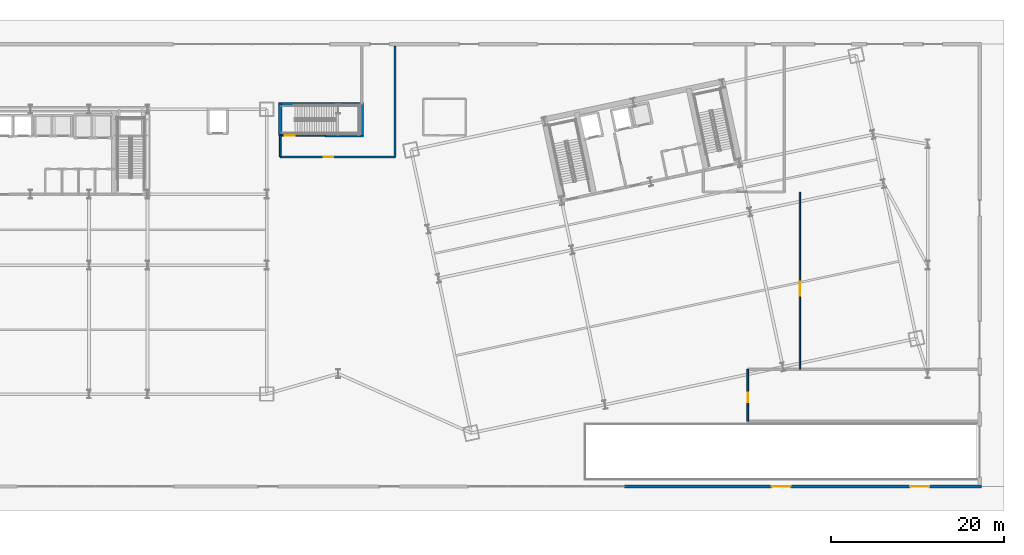
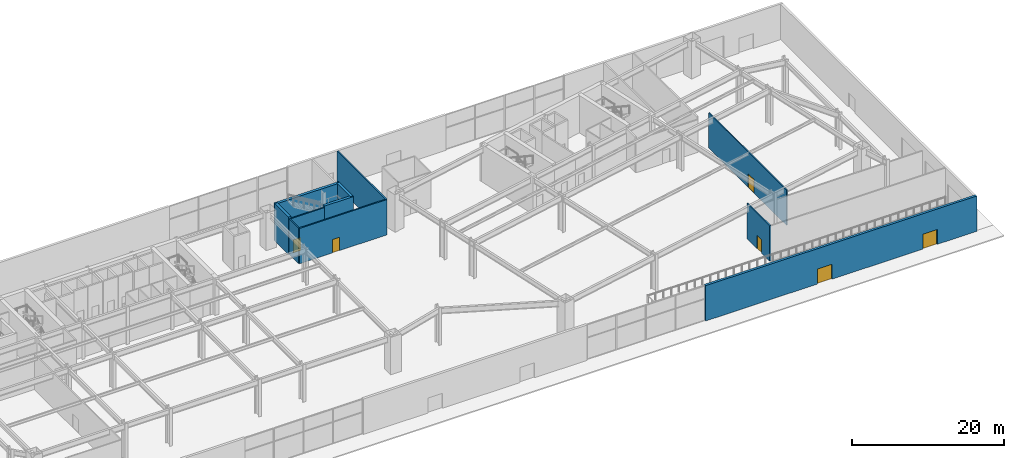
# One storey, part 22 of 30: 11 walls, 6 doors, 6 openings.
"""IFC4 building model written with IfcOpenShell, lengths in metres."""

from ifc_helpers import new_model, si_unit, direction, frame, frame_2d, origin, place, context, subcontext, project, spatial, rectangle, extrude, material, layer, layer_set, type_object, element, fill, save


model = new_model("IFC4")

# Units and contexts
model_context = context("Model", 3, precision=1e-05, world=origin(), true_north=direction((0.0, 1.0)))
body_context = subcontext(model_context, "Body", "Model", "MODEL_VIEW")
ifc_project = project(units=[si_unit("LENGTHUNIT", "METRE"), si_unit("AREAUNIT", "SQUARE_METRE"), si_unit("VOLUMEUNIT", "CUBIC_METRE"), si_unit("PLANEANGLEUNIT", "RADIAN"), si_unit("MASSUNIT", "GRAM", prefix="KILO")], contexts=[model_context])

# Site, building, storey
site_placement = place(None, origin())
site = spatial("IfcSite", under=ifc_project, at=site_placement, CompositionType="ELEMENT")
building_placement = place(site_placement, origin())
building = spatial("IfcBuilding", under=site, at=building_placement, Name="Haevon Station Towers", CompositionType="ELEMENT")
storey_placement = place(building_placement, origin())
storey = spatial("IfcBuildingStorey", under=building, at=storey_placement, Name="L00", CompositionType="ELEMENT", Elevation=0.0)

# Wall, opening, door
ifc_material_1 = material(Name="Gypsum board on steel stud", Category="steel")
ifc_layer_1 = layer(ifc_material_1, 0.199951171875)
ifc_layer_set_1 = layer_set([ifc_layer_1], Name="Gypsum board on steel stud")
wall_type_1 = type_object("IfcWallType", Name="WL-COR200", PredefinedType="PARTITIONING", material=ifc_layer_set_1)
wall_1_placement = place(storey_placement, frame((71.5, 45.0, 0.0), z_axis=(0.0, 0.0, 1.0), x_axis=(-1.0, 0.0, 0.0)))
wall_1 = element("IfcWall", 1, at=wall_1_placement, inside=storey, type_object=wall_type_1, Name="WL-ST-ST6-L00-S", PredefinedType="PARTITIONING", context=body_context, shape_type="SweptSolid", body=[
    extrude(rectangle(XDim=5.199951171875, YDim=0.199951171875, at=frame_2d((2.60009765625, 0.0))), origin(), (0.0, 0.0, 1.0), 5.679931640625),
])
opening_1_placement = place(wall_1_placement, frame((3.530029296875, 0.0, 0.0)))
opening_1 = element("IfcOpeningElement", 2, at=opening_1_placement, cuts=wall_1, Name="Opening DR-ST-ST6-L00", PredefinedType="OPENING", context=body_context, shape_type="SweptSolid", body=[
    extrude(rectangle(XDim=1.1201171875, YDim=2.10009765625, at=frame_2d((0.56005859375, 1.050048828125))), frame((0.0, 0.10986328125, 0.0), z_axis=(0.0, -1.0, 0.0), x_axis=(1.0, 0.0, 0.0)), (0.0, 0.0, 1.0), 0.219970703125),
])
ifc_material_2 = material(Name="Engineered oak timber", Category="wood")
door_type_1 = type_object("IfcDoorType", Name="DR-ST-1120", OperationType="NOTDEFINED", PredefinedType="DOOR", material=ifc_material_2)
door_1_placement = place(opening_1_placement, origin())
door_1 = element("IfcDoor", 3, at=door_1_placement, inside=storey, type_object=door_type_1, Name="L00 Station Escape Stair ST6 Fire Door", OperationType="SINGLE_SWING_RIGHT", OverallHeight=2.10009765625, OverallWidth=1.1201171875, PredefinedType="DOOR", context=body_context, shape_type="SweptSolid", body=[
    extrude(rectangle(XDim=1.1201171875, YDim=2.10009765625, at=frame_2d((0.56005859375, 1.050048828125))), frame((0.0, 0.02490234375, 0.0), z_axis=(0.0, -1.0, 0.0), x_axis=(1.0, 0.0, 0.0)), (0.0, 0.0, 1.0), 0.050048828125),
])
fill(opening_1, door_1)

wall_2_placement = place(storey_placement, frame((66.300048828125, 42.5, 0.0), z_axis=(0.0, 0.0, 1.0), x_axis=(1.0, 0.0, 0.0)))
wall_2 = element("IfcWall", 4, at=wall_2_placement, inside=storey, type_object=wall_type_1, Name="WL-L00-EX6-S", PredefinedType="PARTITIONING", context=body_context, shape_type="SweptSolid", body=[
    extrude(rectangle(XDim=13.25, YDim=0.199951171875, at=frame_2d((6.625, 0.0))), origin(), (0.0, 0.0, 1.0), 5.679931640625),
])
opening_2_placement = place(wall_2_placement, frame((5.0, 0.0, 0.0)))
opening_2 = element("IfcOpeningElement", 5, at=opening_2_placement, cuts=wall_2, Name="Opening DR-WL-L00-EX6-S-1", PredefinedType="OPENING", context=body_context, shape_type="SweptSolid", body=[
    extrude(rectangle(XDim=1.10009765625, YDim=2.14990234375, at=frame_2d((0.550048828125, 1.074951171875))), frame((0.0, 0.10986328125, 0.0), z_axis=(0.0, -1.0, 0.0), x_axis=(1.0, 0.0, 0.0)), (0.0, 0.0, 1.0), 0.219970703125),
])
door_type_2 = type_object("IfcDoorType", Name="DR-FD60-1100", OperationType="NOTDEFINED", PredefinedType="DOOR", material=ifc_material_2)
door_2_placement = place(opening_2_placement, origin())
door_2 = element("IfcDoor", 6, at=door_2_placement, inside=storey, type_object=door_type_2, Name="L00 Interior Door WL-L00-EX6-S-1", OperationType="SINGLE_SWING_LEFT", OverallHeight=2.14990234375, OverallWidth=1.10009765625, PredefinedType="DOOR", context=body_context, shape_type="SweptSolid", body=[
    extrude(rectangle(XDim=1.10009765625, YDim=2.14990234375, at=frame_2d((0.550048828125, 1.074951171875))), frame((0.0, 0.02490234375, 0.0), z_axis=(0.0, -1.0, 0.0), x_axis=(1.0, 0.0, 0.0)), (0.0, 0.0, 1.0), 0.050048828125),
])
fill(opening_2, door_2)

# Walls
wall_3_placement = place(storey_placement, frame((66.300048828125, 42.5, 0.0), z_axis=(0.0, 0.0, 1.0), x_axis=(0.0, 1.0, 0.0)))
element("IfcWall", 7, at=wall_3_placement, inside=storey, type_object=wall_type_1, Name="WL-L00-EX6-W", PredefinedType="PARTITIONING", context=body_context, shape_type="SweptSolid", body=[
    extrude(rectangle(XDim=2.5, YDim=0.199951171875, at=frame_2d((1.25, 0.0))), origin(), (0.0, 0.0, 1.0), 5.679931640625),
])
wall_4_placement = place(storey_placement, frame((79.550048828125, 42.5, 0.0), z_axis=(0.0, 0.0, 1.0), x_axis=(0.0, 1.0, 0.0)))
element("IfcWall", 8, at=wall_4_placement, inside=storey, type_object=wall_type_1, Name="WL-L00-EX6-E", PredefinedType="PARTITIONING", context=body_context, shape_type="SweptSolid", body=[
    extrude(rectangle(XDim=12.800048828125, YDim=0.199951171875, at=frame_2d((6.39990234375, 0.0))), origin(), (0.0, 0.0, 1.0), 5.679931640625),
])

# Wall, opening, door
wall_5_placement = place(storey_placement, frame((120.25, 12.0, 0.0), z_axis=(0.0, 0.0, 1.0), x_axis=(0.0, 1.0, 0.0)))
wall_5 = element("IfcWall", 9, at=wall_5_placement, inside=storey, type_object=wall_type_1, Name="WL-L00-LOADW", PredefinedType="PARTITIONING", context=body_context, shape_type="SweptSolid", body=[
    extrude(rectangle(XDim=6.0, YDim=0.199951171875, at=frame_2d((3.0, 0.0))), origin(), (0.0, 0.0, 1.0), 5.679931640625),
])
opening_3_placement = place(wall_5_placement, frame((2.199951171875, 0.0, 0.0)))
opening_3 = element("IfcOpeningElement", 10, at=opening_3_placement, cuts=wall_5, Name="Opening DR-WL-L00-LOADW-1", PredefinedType="OPENING", context=body_context, shape_type="SweptSolid", body=[
    extrude(rectangle(XDim=1.10009765625, YDim=2.14990234375, at=frame_2d((0.550048828125, 1.074951171875))), frame((0.0, 0.10986328125, 0.0), z_axis=(0.0, -1.0, 0.0), x_axis=(1.0, 0.0, 0.0)), (0.0, 0.0, 1.0), 0.219970703125),
])
door_3_placement = place(opening_3_placement, origin())
door_3 = element("IfcDoor", 11, at=door_3_placement, inside=storey, type_object=door_type_2, Name="L00 Interior Door WL-L00-LOADW-1", OperationType="SINGLE_SWING_RIGHT", OverallHeight=2.14990234375, OverallWidth=1.10009765625, PredefinedType="DOOR", context=body_context, shape_type="SweptSolid", body=[
    extrude(rectangle(XDim=1.10009765625, YDim=2.14990234375, at=frame_2d((0.550048828125, 1.074951171875))), frame((0.0, 0.02490234375, 0.0), z_axis=(0.0, -1.0, 0.0), x_axis=(1.0, 0.0, 0.0)), (0.0, 0.0, 1.0), 0.050048828125),
])
fill(opening_3, door_3)

# Walls
ifc_material_3 = material(Name="Concrete C60/75", Category="concrete")
ifc_layer_2 = layer(ifc_material_3, 0.39990234375)
ifc_layer_set_2 = layer_set([ifc_layer_2], Name="Concrete C60/75")
wall_type_2 = type_object("IfcWallType", Name="WL-CR400", PredefinedType="SHEAR", material=ifc_layer_set_2)
wall_6_placement = place(storey_placement, frame((66.10009765625, 48.60009765625, 0.0), z_axis=(0.0, 0.0, 1.0), x_axis=(1.0, 0.0, 0.0)))
element("IfcWall", 12, at=wall_6_placement, inside=storey, type_object=wall_type_2, Name="WL-ST6CR-L00-N", PredefinedType="SHEAR", context=body_context, shape_type="SweptSolid", body=[
    extrude(rectangle(XDim=9.7998046875, YDim=0.39990234375, at=frame_2d((4.89990234375, 0.0))), origin(), (0.0, 0.0, 1.0), 6.0),
])
for number, where, z_axis, x_axis, name in (
    (13, (66.300048828125, 45.0, 0.0), (0.0, 0.0, 1.0), (0.0, 1.0, 0.0), "WL-ST6CR-L00-W"),
    (14, (75.699951171875, 45.0, 0.0), (0.0, 0.0, 1.0), (0.0, 1.0, 0.0), "WL-ST6CR-L00-E"),
):
    element("IfcWall", number, at=place(storey_placement, frame(where, z_axis=z_axis, x_axis=x_axis)), inside=storey, type_object=wall_type_2, Name=name, PredefinedType="SHEAR", context=body_context, shape_type="SweptSolid", body=[
        extrude(rectangle(XDim=3.60009765625, YDim=0.39990234375, at=frame_2d((1.800048828125, 0.0))), origin(), (0.0, 0.0, 1.0), 6.0),
    ])
wall_7_placement = place(storey_placement, frame((71.5, 45.0, 0.0), z_axis=(0.0, 0.0, 1.0), x_axis=(1.0, 0.0, 0.0)))
element("IfcWall", 15, at=wall_7_placement, inside=storey, type_object=wall_type_2, Name="WL-ST6CR-L00-S2", PredefinedType="SHEAR", context=body_context, shape_type="SweptSolid", body=[
    extrude(rectangle(XDim=4.39990234375, YDim=0.39990234375, at=frame_2d((2.199951171875, 0.0))), origin(), (0.0, 0.0, 1.0), 6.0),
])

# Wall, openings, doors
ifc_material_4 = material(Name="Precast concrete C45/55", Category="concrete")
ifc_layer_3 = layer(ifc_material_4, 0.360107421875)
ifc_layer_set_3 = layer_set([ifc_layer_3], Name="Precast concrete C45/55")
wall_type_3 = type_object("IfcWallType", Name="WL-EXT-POD360", PredefinedType="SOLIDWALL", material=ifc_layer_set_3)
wall_8_placement = place(storey_placement, frame((147.179931640625, 4.5, 0.0), z_axis=(0.0, 0.0, 1.0), x_axis=(-1.0, 0.0, 0.0)))
wall_8 = element("IfcWall", 16, at=wall_8_placement, inside=storey, type_object=wall_type_3, Name="WL-POD-L00-S1", PredefinedType="SOLIDWALL", context=body_context, shape_type="SweptSolid", body=[
    extrude(rectangle(XDim=41.179931640625, YDim=0.360107421875, at=frame_2d((20.58984375, 0.0))), origin(), (0.0, 0.0, 1.0), 5.679931640625),
])
opening_4_placement = place(wall_8_placement, frame((6.0, 0.0, 0.0)))
opening_4 = element("IfcOpeningElement", 17, at=opening_4_placement, cuts=wall_8, Name="Opening DR-L00-EXIT-01", PredefinedType="OPENING", context=body_context, shape_type="SweptSolid", body=[
    extrude(rectangle(XDim=2.199951171875, YDim=2.39990234375, at=frame_2d((1.10009765625, 1.199951171875))), frame((0.0, 0.18994140625, 0.0), z_axis=(0.0, -1.0, 0.0), x_axis=(1.0, 0.0, 0.0)), (0.0, 0.0, 1.0), 0.380126953125),
])
opening_5_placement = place(wall_8_placement, frame((22.0, 0.0, 0.0)))
opening_5 = element("IfcOpeningElement", 18, at=opening_5_placement, cuts=wall_8, Name="Opening DR-L00-EXIT-02", PredefinedType="OPENING", context=body_context, shape_type="SweptSolid", body=[
    extrude(rectangle(XDim=2.199951171875, YDim=2.39990234375, at=frame_2d((1.10009765625, 1.199951171875))), frame((0.0, 0.18994140625, 0.0), z_axis=(0.0, -1.0, 0.0), x_axis=(1.0, 0.0, 0.0)), (0.0, 0.0, 1.0), 0.380126953125),
])
ifc_material_5 = material(Name="Thermally broken anodised aluminium and laminated safety glass", Category="aluminium")
door_type_3 = type_object("IfcDoorType", Name="DR-EXT-2200", OperationType="NOTDEFINED", PredefinedType="DOOR", material=ifc_material_5)
door_4_placement = place(opening_4_placement, origin())
door_4 = element("IfcDoor", 19, at=door_4_placement, inside=storey, type_object=door_type_3, Name="L00 Pedestrian Street Exit Door 01", OperationType="DOUBLE_DOOR_SINGLE_SWING", OverallHeight=2.39990234375, OverallWidth=2.199951171875, PredefinedType="DOOR", context=body_context, shape_type="SweptSolid", body=[
    extrude(rectangle(XDim=2.199951171875, YDim=2.39990234375, at=frame_2d((1.10009765625, 1.199951171875))), frame((0.0, 0.02490234375, 0.0), z_axis=(0.0, -1.0, 0.0), x_axis=(1.0, 0.0, 0.0)), (0.0, 0.0, 1.0), 0.050048828125),
])
fill(opening_4, door_4)
door_5_placement = place(opening_5_placement, origin())
door_5 = element("IfcDoor", 20, at=door_5_placement, inside=storey, type_object=door_type_3, Name="L00 Pedestrian Street Exit Door 02", OperationType="DOUBLE_DOOR_SINGLE_SWING", OverallHeight=2.39990234375, OverallWidth=2.199951171875, PredefinedType="DOOR", context=body_context, shape_type="SweptSolid", body=[
    extrude(rectangle(XDim=2.199951171875, YDim=2.39990234375, at=frame_2d((1.10009765625, 1.199951171875))), frame((0.0, 0.02490234375, 0.0), z_axis=(0.0, -1.0, 0.0), x_axis=(1.0, 0.0, 0.0)), (0.0, 0.0, 1.0), 0.050048828125),
])
fill(opening_5, door_5)

# Wall, opening, door
ifc_layer_4 = layer(ifc_material_1, 0.159912109375)
ifc_layer_set_4 = layer_set([ifc_layer_4], Name="Gypsum board on steel stud")
wall_type_4 = type_object("IfcWallType", Name="WL-PRT160", PredefinedType="PARTITIONING", material=ifc_layer_set_4)
wall_9_placement = place(storey_placement, frame((126.25, 18.0, 0.0), z_axis=(0.0, 0.0, 1.0), x_axis=(0.0, 1.0, 0.0)))
wall_9 = element("IfcWall", 21, at=wall_9_placement, inside=storey, type_object=wall_type_4, Name="WL-L00-RETE", PredefinedType="PARTITIONING", context=body_context, shape_type="SweptSolid", body=[
    extrude(rectangle(XDim=20.449951171875, YDim=0.159912109375, at=frame_2d((10.22509765625, 0.0))), origin(), (0.0, 0.0, 1.0), 5.679931640625),
])
opening_6_placement = place(wall_9_placement, frame((8.5, 0.0, 0.0)))
opening_6 = element("IfcOpeningElement", 22, at=opening_6_placement, cuts=wall_9, Name="Opening DR-WL-L00-RETE-1", PredefinedType="OPENING", context=body_context, shape_type="SweptSolid", body=[
    extrude(rectangle(XDim=1.60009765625, YDim=2.199951171875, at=frame_2d((0.800048828125, 1.10009765625))), frame((0.0, 0.08984375, 0.0), z_axis=(0.0, -1.0, 0.0), x_axis=(1.0, 0.0, 0.0)), (0.0, 0.0, 1.0), 0.179931640625),
])
door_type_4 = type_object("IfcDoorType", Name="DR-POD-1600", OperationType="NOTDEFINED", PredefinedType="DOOR", material=ifc_material_2)
door_6_placement = place(opening_6_placement, origin())
door_6 = element("IfcDoor", 23, at=door_6_placement, inside=storey, type_object=door_type_4, Name="L00 Interior Door WL-L00-RETE-1", OperationType="DOUBLE_DOOR_SINGLE_SWING", OverallHeight=2.199951171875, OverallWidth=1.60009765625, PredefinedType="DOOR", context=body_context, shape_type="SweptSolid", body=[
    extrude(rectangle(XDim=1.60009765625, YDim=2.199951171875, at=frame_2d((0.800048828125, 1.10009765625))), frame((0.0, 0.02490234375, 0.0), z_axis=(0.0, -1.0, 0.0), x_axis=(1.0, 0.0, 0.0)), (0.0, 0.0, 1.0), 0.050048828125),
])
fill(opening_6, door_6)

save(model, "model.ifc")
